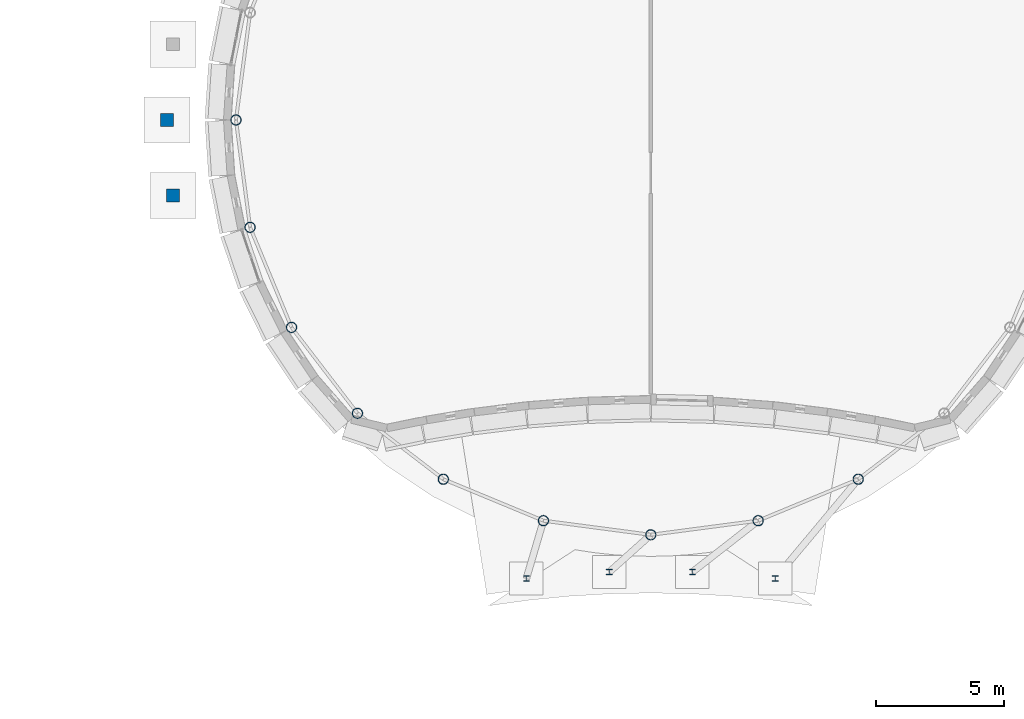
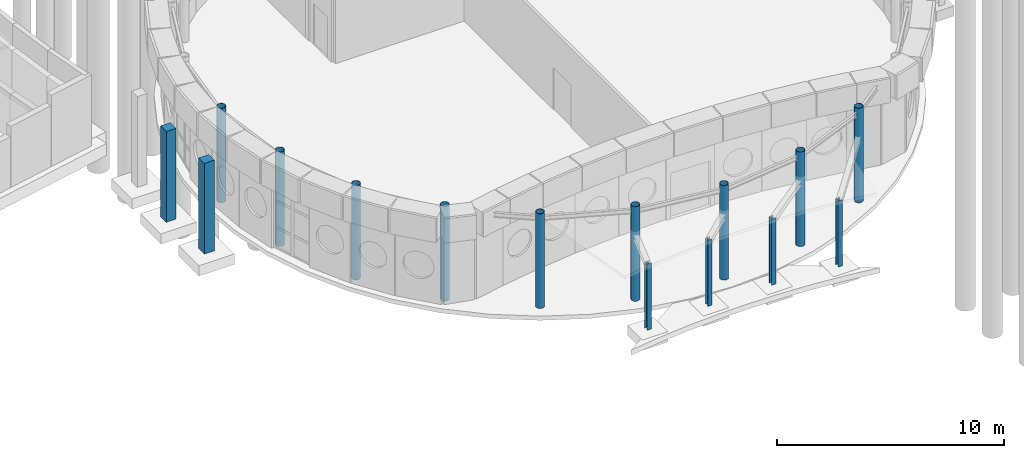
# One storey, part 9 of 109: 15 columns.
"""IFC4 building model written with IfcOpenShell, lengths in metres."""

import ifcopenshell
import ifcopenshell.guid

model = None  # the IFC model being written
_history = None  # IfcOwnerHistory: only IFC2X3 demands one
_inside = {}  # id of a spatial element -> (the spatial element, [elements in it])
_under = {}  # id of a project, library or spatial element -> (it, [spatial elements below it])
_declared = {}  # id of a project -> (the project, [libraries it declares])
_typed = {}  # id of a type object -> (the type object, [elements of that type])
_made_of = {}  # id of a material, layer set ... -> (it, [elements and type objects made of it])


def new_model(schema):
    """Start an empty IFC model of exactly this schema.

    Asked for "IFC4X3", IfcOpenShell would pick the latest addendum, in which some entities
    have other attributes; the version numbers below select the first issue.
    IFC2X3 requires an IfcOwnerHistory on every rooted entity: one is made here for all.
    """
    global model, _history
    if schema == "IFC4X3":
        model = ifcopenshell.file(schema_version=(4, 3, 0, 0))
    else:
        model = ifcopenshell.file(schema=schema)
    _inside.clear()
    _under.clear()
    _declared.clear()
    _typed.clear()
    _made_of.clear()
    _history = None
    if model.schema == "IFC2X3":
        org = make("IfcOrganization", Name="unknown")
        user = make(
            "IfcPersonAndOrganization",
            ThePerson=make("IfcPerson", FamilyName="unknown"),
            TheOrganization=org,
        )
        app = make(
            "IfcApplication",
            ApplicationDeveloper=org,
            Version="unknown",
            ApplicationFullName="unknown",
            ApplicationIdentifier="unknown",
        )
        _history = make(
            "IfcOwnerHistory",
            OwningUser=user,
            OwningApplication=app,
            ChangeAction="ADDED",
            CreationDate=0,
        )
    return model


def make(cls, **values):
    """One entity of the class cls with the attributes given. An attribute that is None is left unset."""
    return model.create_entity(
        cls, **{name: value for name, value in values.items() if value is not None}
    )


def rooted(cls, **values):
    """An entity with a GlobalId (a new one), such as an element, a storey or a relation."""
    return make(cls, GlobalId=ifcopenshell.guid.new(), OwnerHistory=_history, **values)


def si_unit(unit_type, name, prefix=None):
    """IfcSIUnit, for example si_unit("LENGTHUNIT", "METRE", prefix="MILLI")."""
    return make("IfcSIUnit", UnitType=unit_type, Prefix=prefix, Name=name)


def assignment(units):
    """IfcUnitAssignment: the units of a project."""
    return None if units is None else make("IfcUnitAssignment", Units=units)


def point(xyz):
    """IfcCartesianPoint."""
    return None if xyz is None else make("IfcCartesianPoint", Coordinates=xyz)


def direction(xyz):
    """IfcDirection."""
    return None if xyz is None else make("IfcDirection", DirectionRatios=xyz)


def frame(location, z_axis=None, x_axis=None):
    """IfcAxis2Placement3D, a coordinate frame: its origin and axes. An axis left out is left unset."""
    return make(
        "IfcAxis2Placement3D",
        Location=point(location),
        Axis=direction(z_axis),
        RefDirection=direction(x_axis),
    )


def frame_2d(location, x_axis=None):
    """IfcAxis2Placement2D, a coordinate frame in the plane: its origin and x axis."""
    return make(
        "IfcAxis2Placement2D", Location=point(location), RefDirection=direction(x_axis)
    )


def origin():
    """The frame at (0, 0, 0) with its axes left unset."""
    return frame((0.0, 0.0, 0.0))


def origin_2d():
    """The frame at (0, 0) in the plane with its x axis left unset."""
    return frame_2d((0.0, 0.0))


def place(relative_to, where):
    """IfcLocalPlacement: puts the frame where relative to a parent placement (None: the world)."""
    return make(
        "IfcLocalPlacement", PlacementRelTo=relative_to, RelativePlacement=where
    )


def context(
    kind, dimensions, precision=None, world=None, true_north=None, identifier=None
):
    """IfcGeometricRepresentationContext, for example the 3D "Model" context."""
    return make(
        "IfcGeometricRepresentationContext",
        ContextIdentifier=identifier,
        ContextType=kind,
        CoordinateSpaceDimension=dimensions,
        Precision=precision,
        WorldCoordinateSystem=world,
        TrueNorth=true_north,
    )


def subcontext(parent, identifier, kind, view, scale=None):
    """IfcGeometricRepresentationSubContext, for example "Body" below "Model"."""
    return make(
        "IfcGeometricRepresentationSubContext",
        ContextIdentifier=identifier,
        ContextType=kind,
        ParentContext=parent,
        TargetScale=scale,
        TargetView=view,
    )


def project(units=None, contexts=None):
    """IfcProject with its units and contexts."""
    return rooted(
        "IfcProject",
        Name="project",
        RepresentationContexts=contexts,
        UnitsInContext=assignment(units),
    )


def spatial(cls, under=None, at=None, **own):
    """A site, building, storey or space (cls), placed at a placement, below another one or the project."""
    s = rooted(cls, ObjectPlacement=at, **own)
    if under is not None:
        _under.setdefault(under.id(), (under, []))[1].append(s)
    return s


def profile(cls, at=None, kind="AREA", **sizes):
    """A parametric profile (cls). Its sizes go by their IFC names, for example OverallWidth=200.0."""
    return make(cls, ProfileType=kind, Position=at, **sizes)


def rectangle(**sizes):
    """IfcRectangleProfileDef."""
    return profile("IfcRectangleProfileDef", **sizes)


def hollow_circle(**sizes):
    """IfcCircleHollowProfileDef."""
    return profile("IfcCircleHollowProfileDef", **sizes)


def i_section(**sizes):
    """IfcIShapeProfileDef."""
    return profile("IfcIShapeProfileDef", **sizes)


def extrude(swept, where, along, depth):
    """IfcExtrudedAreaSolid: the profile swept, set in the frame where, extruded along a direction by depth."""
    return make(
        "IfcExtrudedAreaSolid",
        SweptArea=swept,
        Position=where,
        ExtrudedDirection=direction(along),
        Depth=depth,
    )


def shape(context_of_items, identifier, shape_type, items):
    """IfcShapeRepresentation: the items that make up one representation, for example the "Body"."""
    return make(
        "IfcShapeRepresentation",
        ContextOfItems=context_of_items,
        RepresentationIdentifier=identifier,
        RepresentationType=shape_type,
        Items=items,
    )


def material(Name=None, Category=None):
    """IfcMaterial."""
    return make("IfcMaterial", Name=Name, Category=Category)


def material_profile(
    of_material, cross_section, Name=None, Category=None, Priority=None
):
    """IfcMaterialProfile: a cross section and its material."""
    return make(
        "IfcMaterialProfile",
        Name=Name,
        Material=of_material,
        Profile=cross_section,
        Priority=Priority,
        Category=Category,
    )


def profile_set(profiles, Name=None, composite=None):
    """IfcMaterialProfileSet."""
    return make(
        "IfcMaterialProfileSet",
        Name=Name,
        MaterialProfiles=profiles,
        CompositeProfile=composite,
    )


def made_of(thing, what):
    """Note that an element or type object is made of a material, layer set ...; save() writes the relation."""
    if what is not None:
        _made_of.setdefault(what.id(), (what, []))[1].append(thing)
    return thing


def type_object(cls, material=None, **own):
    """A type object (cls), such as IfcWallType, which elements share."""
    return made_of(rooted(cls, **own), material)


def element(
    cls,
    number,
    at=None,
    inside=None,
    cuts=None,
    type_object=None,
    material=None,
    context=None,
    identifier="Body",
    shape_type=None,
    held_by="IfcProductDefinitionShape",
    body=None,
    shapes=None,
    **own,
):
    """One element of the class cls, such as IfcWall. Its Tag is "e" and its number.

    at: its placement. inside: the storey or other place that contains it. cuts: it is an
    opening in that element (IfcRelVoidsElement). A single representation is given by context,
    identifier, shape_type and body (its items); several are given by shapes. held_by: the class
    of the entity that holds the representations. save() writes the other relations.
    """
    e = rooted(cls, Tag="e%d" % number, ObjectPlacement=at, **own)
    if body is not None:
        shapes = [shape(context, identifier, shape_type, body)]
    if shapes is not None:
        e.Representation = make(held_by, Representations=shapes)
    if inside is not None:
        _inside.setdefault(inside.id(), (inside, []))[1].append(e)
    if cuts is not None:
        rooted(
            "IfcRelVoidsElement", RelatingBuildingElement=cuts, RelatedOpeningElement=e
        )
    if type_object is not None:
        _typed.setdefault(type_object.id(), (type_object, []))[1].append(e)
    return made_of(e, material)


def aggregate(whole, parts):
    """IfcRelAggregates: a whole, such as a stair, and the parts it consists of."""
    return rooted("IfcRelAggregates", RelatingObject=whole, RelatedObjects=parts)


def save(model, path):
    """Write the relations noted so far, then the file.

    IfcRelAggregates (storeys below a building ...), IfcRelContainedInSpatialStructure (elements
    in a storey), IfcRelDefinesByType, IfcRelAssociatesMaterial and IfcRelDeclares: one each for
    every whole, place, type object, material and project.
    """
    for whole, parts in _under.values():
        aggregate(whole, parts)
    for where, things in _inside.values():
        rooted(
            "IfcRelContainedInSpatialStructure",
            RelatedElements=things,
            RelatingStructure=where,
        )
    for kind, things in _typed.values():
        rooted("IfcRelDefinesByType", RelatedObjects=things, RelatingType=kind)
    for what, things in _made_of.values():
        rooted("IfcRelAssociatesMaterial", RelatedObjects=things, RelatingMaterial=what)
    for by, libraries in _declared.values():
        rooted("IfcRelDeclares", RelatingContext=by, RelatedDefinitions=libraries)
    model.write(path)


model = new_model("IFC4")

# Units and contexts
model_context = context("Model", 3, precision=1e-05, world=origin(), true_north=direction((0.0, 1.0)))
body_context = subcontext(model_context, "Body", "Model", "MODEL_VIEW")
ifc_project = project(units=[si_unit("LENGTHUNIT", "METRE"), si_unit("AREAUNIT", "SQUARE_METRE"), si_unit("VOLUMEUNIT", "CUBIC_METRE"), si_unit("PLANEANGLEUNIT", "RADIAN"), si_unit("MASSUNIT", "GRAM", prefix="KILO")], contexts=[model_context])

# Site, building, storey
site_placement = place(None, origin())
site = spatial("IfcSite", under=ifc_project, at=site_placement, CompositionType="ELEMENT")
building_placement = place(site_placement, origin())
building = spatial("IfcBuilding", under=site, at=building_placement, Name="Montecoro Central Library", CompositionType="ELEMENT")
storey_placement = place(building_placement, origin())
storey = spatial("IfcBuildingStorey", under=building, at=storey_placement, Name="L00", CompositionType="ELEMENT", Elevation=0.0)

# Columns
ifc_material_1 = material(Name="Steel S355J2", Category="steel")
ifc_material_profile_1 = material_profile(ifc_material_1, hollow_circle(Radius=0.203125, WallThickness=0.01611328125, at=origin_2d()), Name="CHS 406.4x16.0")
ifc_profile_set_1 = profile_set([ifc_material_profile_1], Name="Steel S355J2")
column_type_1 = type_object("IfcColumnType", Name="COL-CHS406", PredefinedType="COLUMN", material=ifc_profile_set_1)
for number, where, z_axis, x_axis, name in (
    (1, (75.419921875, 35.39990234375, 0.0), (0.0, 0.0, 1.0), (1.0, 0.0, 0.0), "V1-L00-DCOL-13"),
    (2, (75.970947265625, 31.2119140625, 0.0), (0.0, 0.0, 1.0), (1.0, 0.0, 0.0), "V1-L00-DCOL-14"),
    (3, (77.587890625, 27.31005859375, 0.0), (0.0, 0.0, 1.0), (1.0, 0.0, 0.0), "V1-L00-DCOL-15"),
    (4, (80.158935546875, 23.958984375, 0.0), (0.0, 0.0, 1.0), (1.0, 0.0, 0.0), "V1-L00-DCOL-16"),
    (5, (83.510009765625, 21.387939453125, 0.0), (0.0, 0.0, 1.0), (1.0, 0.0, 0.0), "V1-L00-DCOL-17"),
    (6, (87.412109375, 19.77099609375, 0.0), (0.0, 0.0, 1.0), (1.0, 0.0, 0.0), "V1-L00-DCOL-18"),
    (7, (91.60009765625, 19.219970703125, 0.0), (0.0, 0.0, 1.0), (1.0, 0.0, 0.0), "V1-L00-DCOL-19"),
    (8, (95.7880859375, 19.77099609375, 0.0), (0.0, 0.0, 1.0), (1.0, 0.0, 0.0), "V1-L00-DCOL-20"),
    (9, (99.68994140625, 21.387939453125, 0.0), (0.0, 0.0, 1.0), (1.0, 0.0, 0.0), "V1-L00-DCOL-21"),
):
    element("IfcColumn", number, at=place(storey_placement, frame(where, z_axis=z_axis, x_axis=x_axis)), inside=storey, type_object=column_type_1, Name=name, PredefinedType="COLUMN", context=body_context, shape_type="SweptSolid", body=[
        extrude(hollow_circle(Radius=0.203125, WallThickness=0.01611328125, at=origin_2d()), origin(), (0.0, 0.0, 1.0), 5.074951171875),
    ])
ifc_material_2 = material(Name="Steel S355", Category="steel")
ifc_material_profile_2 = material_profile(ifc_material_2, i_section(OverallWidth=0.219970703125, OverallDepth=0.219970703125, WebThickness=0.009521484375, FlangeThickness=0.01611328125, at=origin_2d()), Name="HEB 220")
ifc_profile_set_2 = profile_set([ifc_material_profile_2], Name="Steel S355")
column_type_2 = type_object("IfcColumnType", Name="COL-HEB220", PredefinedType="COLUMN", material=ifc_profile_set_2)
for number, where, z_axis, x_axis, name in (
    (10, (96.4541015625, 17.513916015625, 0.0), (0.0, 0.0, 1.0), (1.0, 0.0, 0.0), "CAN-COL-1-F"),
    (11, (93.220947265625, 17.76806640625, 0.0), (0.0, 0.0, 1.0), (1.0, 0.0, 0.0), "CAN-COL-2-F"),
    (12, (89.97900390625, 17.76806640625, 0.0), (0.0, 0.0, 1.0), (1.0, 0.0, 0.0), "CAN-COL-3-F"),
    (13, (86.74609375, 17.513916015625, 0.0), (0.0, 0.0, 1.0), (1.0, 0.0, 0.0), "CAN-COL-4-F"),
):
    element("IfcColumn", number, at=place(storey_placement, frame(where, z_axis=z_axis, x_axis=x_axis)), inside=storey, type_object=column_type_2, Name=name, PredefinedType="COLUMN", context=body_context, shape_type="SweptSolid", body=[
        extrude(i_section(OverallWidth=0.219970703125, OverallDepth=0.219970703125, WebThickness=0.009521484375, FlangeThickness=0.01611328125, at=origin_2d()), origin(), (0.0, 0.0, 1.0), 3.548095703125),
    ])
ifc_material_3 = material(Name="Concrete C35/45", Category="concrete")
ifc_material_profile_3 = material_profile(ifc_material_3, rectangle(XDim=0.5, YDim=0.5, at=origin_2d()), Name="RC PIL 500x500")
ifc_profile_set_3 = profile_set([ifc_material_profile_3], Name="Concrete C35/45")
column_type_3 = type_object("IfcColumnType", Name="PIL-RC01", PredefinedType="PILASTER", material=ifc_profile_set_3)
for number, where, z_axis, x_axis, name in (
    (14, (72.72998046875, 35.39990234375, 0.0), (0.0, 0.0, 1.0), (1.0, 0.0, 0.0), "V1-WTER-COL-2"),
    (15, (72.9619140625, 32.447998046875, 0.0), (0.0, 0.0, 1.0), (1.0, 0.0, 0.0), "V1-WTER-COL-3"),
):
    element("IfcColumn", number, at=place(storey_placement, frame(where, z_axis=z_axis, x_axis=x_axis)), inside=storey, type_object=column_type_3, Name=name, PredefinedType="PILASTER", context=body_context, shape_type="SweptSolid", body=[
        extrude(rectangle(XDim=0.5, YDim=0.5, at=origin_2d()), origin(), (0.0, 0.0, 1.0), 4.8701171875),
    ])

save(model, "model.ifc")
